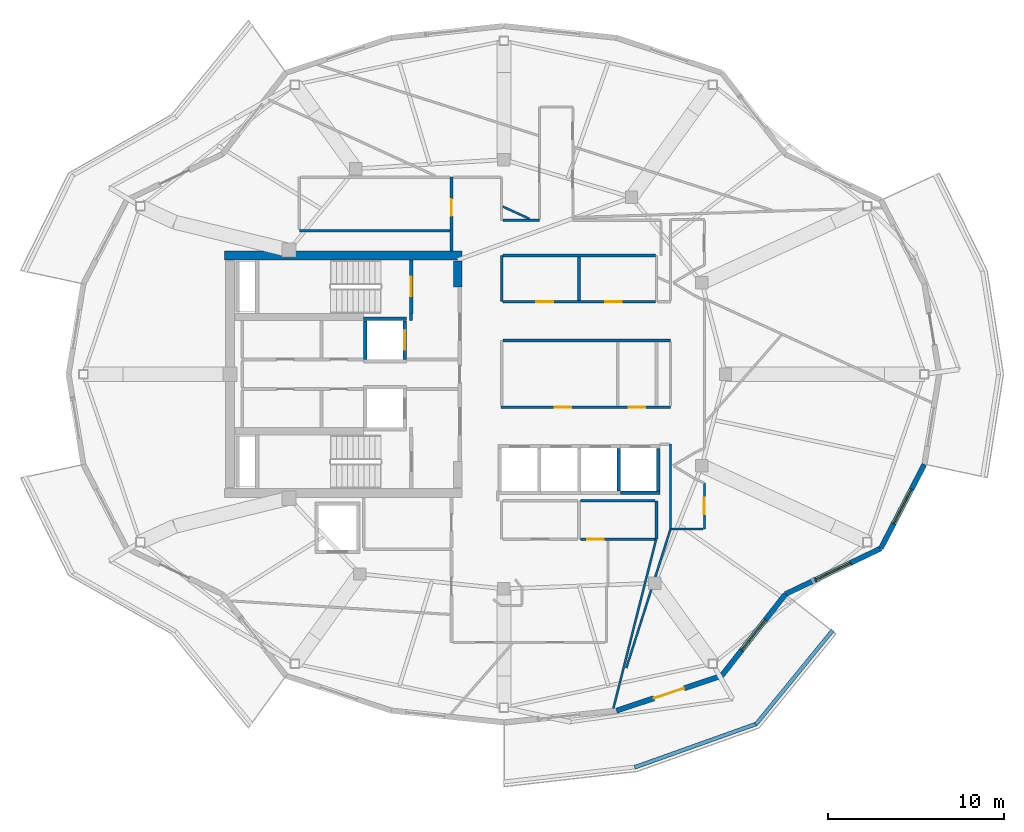
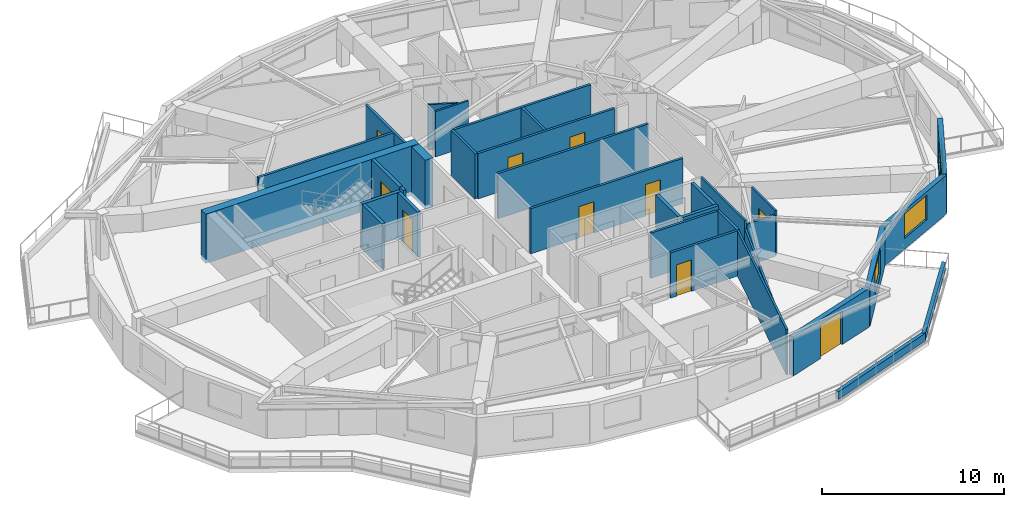
# One storey, part 5 of 11: 34 walls, 10 doors, 3 windows, 13 openings.
"""IFC4 building model written with IfcOpenShell, lengths in metres."""

from ifc_helpers import new_model, si_unit, direction, frame, frame_2d, origin, place, context, subcontext, project, spatial, rectangle, extrude, material, layer, layer_set, type_object, element, fill, save


model = new_model("IFC4")

# Units and contexts
model_context = context("Model", 3, precision=1e-05, world=origin(), true_north=direction((0.0, 1.0)))
body_context = subcontext(model_context, "Body", "Model", "MODEL_VIEW")
ifc_project = project(units=[si_unit("LENGTHUNIT", "METRE"), si_unit("AREAUNIT", "SQUARE_METRE"), si_unit("VOLUMEUNIT", "CUBIC_METRE"), si_unit("PLANEANGLEUNIT", "RADIAN"), si_unit("MASSUNIT", "GRAM", prefix="KILO")], contexts=[model_context])

# Site, building, storey
site_placement = place(None, origin())
site = spatial("IfcSite", under=ifc_project, at=site_placement, CompositionType="ELEMENT")
building_placement = place(site_placement, origin())
building = spatial("IfcBuilding", under=site, at=building_placement, Name="Kolvaren Gate Tower and Convention Centre", CompositionType="ELEMENT")
storey_placement = place(building_placement, frame((0.0, 0.0, 236.0)))
storey = spatial("IfcBuildingStorey", under=building, at=storey_placement, Name="L63", CompositionType="ELEMENT", Elevation=236.0)

# Walls
ifc_material_1 = material(Name="Autoclaved Aerated Masonry Blockwork Class 4 (4.0 MPa)", Category="masonry")
ifc_layer_1 = layer(ifc_material_1, 0.179931640625)
ifc_layer_set_1 = layer_set([ifc_layer_1], Name="Autoclaved Aerated Masonry Blockwork Class 4 (4.0 MPa)")
wall_type_1 = type_object("IfcWallType", Name="ARCH-WL-COMP-180", PredefinedType="SOLIDWALL", material=ifc_layer_set_1)
wall_1_placement = place(storey_placement, frame((24.85009765625, 30.0400390625, 0.0), z_axis=(0.0, 0.0, 1.0), x_axis=(0.0, 1.0, 0.0)))
element("IfcWall", 1, at=wall_1_placement, inside=storey, type_object=wall_type_1, Name="Interior Partition WL-L63-INT-002", PredefinedType="SOLIDWALL", context=body_context, shape_type="SweptSolid", body=[
    extrude(rectangle(XDim=0.419921875, YDim=0.179931640625, at=frame_2d((0.2099609375, 0.0))), origin(), (0.0, 0.0, 1.0), 3.030029296875),
])
ifc_material_2 = material(Name="Fire-Rated Acoustic Gypsum Stud Partition", Category="gypsum")
ifc_layer_2 = layer(ifc_material_2, 0.1201171875)
ifc_layer_set_2 = layer_set([ifc_layer_2], Name="Fire-Rated Acoustic Gypsum Stud Partition")
wall_type_2 = type_object("IfcWallType", Name="ARCH-WL-PART-120", PredefinedType="PARTITIONING", material=ifc_layer_set_2)
wall_2_placement = place(storey_placement, frame((30.06201171875, 35.75, 0.0), z_axis=(0.0, 0.0, 1.0), x_axis=(1.0, 0.0, 0.0)))
element("IfcWall", 2, at=wall_2_placement, inside=storey, type_object=wall_type_2, Name="Interior Partition WL-L63-INT-032", PredefinedType="PARTITIONING", context=body_context, shape_type="SweptSolid", body=[
    extrude(rectangle(XDim=2.087890625, YDim=0.1201171875, at=frame_2d((1.0439453125, 0.0))), origin(), (0.0, 0.0, 1.0), 3.030029296875),
])
wall_3_placement = place(storey_placement, frame((39.60009765625, 18.199951171875, 0.0), z_axis=(0.0, 0.0, 1.0), x_axis=(0.0, 1.0, 0.0)))
element("IfcWall", 3, at=wall_3_placement, inside=storey, type_object=wall_type_2, Name="Interior Partition WL-L63-INT-038", PredefinedType="PARTITIONING", context=body_context, shape_type="SweptSolid", body=[
    extrude(rectangle(XDim=4.820068359375, YDim=0.1201171875, at=frame_2d((2.41015625, 0.0))), origin(), (0.0, 0.0, 1.0), 3.030029296875),
])

# Wall, opening, door
wall_4_placement = place(storey_placement, frame((41.52001953125, 18.199951171875, 0.0), z_axis=(0.0, 0.0, 1.0), x_axis=(0.0, 1.0, 0.0)))
wall_4 = element("IfcWall", 4, at=wall_4_placement, inside=storey, type_object=wall_type_2, Name="Interior Partition WL-L63-INT-042", PredefinedType="PARTITIONING", context=body_context, shape_type="SweptSolid", body=[
    extrude(rectangle(XDim=2.60693359375, YDim=0.1201171875, at=frame_2d((1.303466796875, 0.0))), origin(), (0.0, 0.0, 1.0), 3.030029296875),
])
opening_1_placement = place(wall_4_placement, frame((0.82861328125, 0.0, 0.0)))
opening_1 = element("IfcOpeningElement", 5, at=opening_1_placement, cuts=wall_4, Name="Opening DR-01", PredefinedType="OPENING", context=body_context, shape_type="SweptSolid", body=[
    extrude(rectangle(XDim=0.949951171875, YDim=2.10009765625, at=frame_2d((0.47509765625, 1.050048828125))), frame((0.0, 0.070068359375, 0.0), z_axis=(0.0, -1.0, 0.0), x_axis=(1.0, 0.0, 0.0)), (0.0, 0.0, 1.0), 0.14013671875),
])
ifc_material_3 = material(Name="Painted Architectural Steelwork ASTM A500 Grade C 345 MPa", Category="steel")
door_type_1 = type_object("IfcDoorType", Name="ARCH-DR-RISER-950", OperationType="SINGLE_SWING_RIGHT", PredefinedType="DOOR", material=ifc_material_3)
door_1_placement = place(opening_1_placement, origin())
door_1 = element("IfcDoor", 6, at=door_1_placement, inside=storey, type_object=door_type_1, Name="Resident Private Study and Home Office Door", OperationType="SINGLE_SWING_LEFT", OverallHeight=2.10009765625, OverallWidth=0.949951171875, PredefinedType="DOOR", context=body_context, shape_type="SweptSolid", body=[
    extrude(rectangle(XDim=0.949951171875, YDim=2.10009765625, at=frame_2d((0.47509765625, 1.050048828125))), frame((0.0, 0.02490234375, 0.0), z_axis=(0.0, -1.0, 0.0), x_axis=(1.0, 0.0, 0.0)), (0.0, 0.0, 1.0), 0.050048828125),
])
fill(opening_1, door_1)

# Walls
wall_5_placement = place(storey_placement, frame((39.662109375, 18.199951171875, 0.0), z_axis=(0.0, 0.0, 1.0), x_axis=(1.0, 0.0, 0.0)))
element("IfcWall", 7, at=wall_5_placement, inside=storey, type_object=wall_type_2, Name="Interior Partition WL-L63-INT-053", PredefinedType="PARTITIONING", context=body_context, shape_type="SweptSolid", body=[
    extrude(rectangle(XDim=1.7958984375, YDim=0.1201171875, at=frame_2d((0.89794921875, 0.0))), origin(), (0.0, 0.0, 1.0), 2.77001953125),
])
wall_6_placement = place(storey_placement, frame((30.06201171875, 36.529052734375, 0.0), z_axis=(0.0, 0.0, 1.0), x_axis=(0.909595755729, -0.415494357555, 0.0)))
element("IfcWall", 8, at=wall_6_placement, inside=storey, type_object=wall_type_2, Name="Interior Partition WL-L63-INT-064", PredefinedType="PARTITIONING", context=body_context, shape_type="SweptSolid", body=[
    extrude(rectangle(XDim=1.674072265625, YDim=0.1201171875, at=frame_2d((0.8369140625, 0.0))), origin(), (0.0, 0.0, 1.0), 3.030029296875),
])
wall_7_placement = place(storey_placement, frame((36.350830078125, 8.008544921875, 0.0), z_axis=(0.0, 0.0, 1.0), x_axis=(0.245217392178, 0.969468117358, 0.0)))
element("IfcWall", 9, at=wall_7_placement, inside=storey, type_object=wall_type_2, Name="Interior Partition WL-L63-INT-070", PredefinedType="PARTITIONING", context=body_context, shape_type="SweptSolid", body=[
    extrude(rectangle(XDim=9.914306640625, YDim=0.1201171875, at=frame_2d((4.95703125, 0.0))), origin(), (0.0, 0.0, 1.0), 3.030029296875),
])
wall_8_placement = place(storey_placement, frame((37.08544921875, 10.301025390625, 0.0), z_axis=(0.0, 0.0, 1.0), x_axis=(0.30335196171, 0.95287857953, 0.0)))
element("IfcWall", 10, at=wall_8_placement, inside=storey, type_object=wall_type_2, Name="Interior Partition WL-L63-INT-071", PredefinedType="PARTITIONING", context=body_context, shape_type="SweptSolid", body=[
    extrude(rectangle(XDim=8.28955078125, YDim=0.1201171875, at=frame_2d((4.144775390625, 0.0))), origin(), (0.0, 0.0, 1.0), 2.47802734375),
])
ifc_material_4 = material(Name="Piedmont Cream Honed Limestone Cladding", Category="masonry")
ifc_layer_3 = layer(ifc_material_4, 0.219970703125)
ifc_layer_set_3 = layer_set([ifc_layer_3], Name="Piedmont Cream Honed Limestone Cladding")
wall_type_3 = type_object("IfcWallType", Name="ARCH-WL-PLANTER-220", PredefinedType="PARAPET", material=ifc_layer_set_3)
wall_9_placement = place(storey_placement, frame((37.564697265625, 4.65283203125, 0.0), z_axis=(0.0, 0.0, 1.0), x_axis=(0.941780086523, 0.336229488042, 0.0)))
element("IfcWall", 11, at=wall_9_placement, inside=storey, type_object=wall_type_3, Name="Vertical-Forest Balcony Stone Planter Kerb PK-L63-3.2", PredefinedType="PARAPET", context=body_context, shape_type="SweptSolid", body=[
    extrude(rectangle(XDim=7.3779296875, YDim=0.219970703125, at=frame_2d((3.68896484375, 0.0))), origin(), (0.0, 0.0, 1.0), 0.52001953125),
])
wall_10_placement = place(storey_placement, frame((44.4482421875, 7.087158203125, 0.0), z_axis=(0.0, 0.0, 1.0), x_axis=(0.632697312147, 0.774399193699, 0.0)))
element("IfcWall", 12, at=wall_10_placement, inside=storey, type_object=wall_type_3, Name="Vertical-Forest Balcony Stone Planter Kerb PK-L63-3.3", PredefinedType="PARAPET", context=body_context, shape_type="SweptSolid", body=[
    extrude(rectangle(XDim=6.9140625, YDim=0.219970703125, at=frame_2d((3.45703125, 0.0))), origin(), (0.0, 0.0, 1.0), 0.52001953125),
])
ifc_layer_4 = layer(ifc_material_1, 0.199951171875)
ifc_layer_set_4 = layer_set([ifc_layer_4], Name="Autoclaved Aerated Masonry Blockwork Class 4 (4.0 MPa)")
wall_type_4 = type_object("IfcWallType", Name="ARCH-WL-SHAFT-200", PredefinedType="SOLIDWALL", material=ifc_layer_set_4)
wall_11_placement = place(storey_placement, frame((22.14990234375, 30.139892578125, 0.0), z_axis=(0.0, 0.0, 1.0), x_axis=(1.0, 0.0, 0.0)))
element("IfcWall", 13, at=wall_11_placement, inside=storey, type_object=wall_type_4, Name="Elevator FF-01 L63 Fire Shaft Wall N", PredefinedType="SOLIDWALL", context=body_context, shape_type="SweptSolid", body=[
    extrude(rectangle(XDim=2.4501953125, YDim=0.199951171875, at=frame_2d((1.22509765625, 0.0))), origin(), (0.0, 0.0, 1.0), 3.030029296875),
])
wall_12_placement = place(storey_placement, frame((22.25, 27.85009765625, 0.0), z_axis=(0.0, 0.0, 1.0), x_axis=(0.0, 1.0, 0.0)))
element("IfcWall", 14, at=wall_12_placement, inside=storey, type_object=wall_type_4, Name="Elevator FF-01 L63 Fire Shaft Wall W", PredefinedType="SOLIDWALL", context=body_context, shape_type="SweptSolid", body=[
    extrude(rectangle(XDim=2.179931640625, YDim=0.199951171875, at=frame_2d((1.08984375, 0.0))), origin(), (0.0, 0.0, 1.0), 3.030029296875),
])

# Wall, opening, door
wall_13_placement = place(storey_placement, frame((24.5, 27.85009765625, 0.0), z_axis=(0.0, 0.0, 1.0), x_axis=(0.0, 1.0, 0.0)))
wall_13 = element("IfcWall", 15, at=wall_13_placement, inside=storey, type_object=wall_type_4, Name="Elevator FF-01 L63 Fire Shaft Wall E", PredefinedType="SOLIDWALL", context=body_context, shape_type="SweptSolid", body=[
    extrude(rectangle(XDim=2.179931640625, YDim=0.199951171875, at=frame_2d((1.08984375, 0.0))), origin(), (0.0, 0.0, 1.0), 3.030029296875),
])
opening_2_placement = place(wall_13_placement, frame((0.5400390625, 0.0, 0.0)))
opening_2 = element("IfcOpeningElement", 16, at=opening_2_placement, cuts=wall_13, Name="Opening LD", PredefinedType="OPENING", context=body_context, shape_type="SweptSolid", body=[
    extrude(rectangle(XDim=1.10009765625, YDim=2.199951171875, at=frame_2d((0.550048828125, 1.10009765625))), frame((0.0, 0.10986328125, 0.0), z_axis=(0.0, -1.0, 0.0), x_axis=(1.0, 0.0, 0.0)), (0.0, 0.0, 1.0), 0.219970703125),
])
ifc_material_5 = material(Name="Brushed Stainless Steel Grade 316L", Category="steel")
door_type_2 = type_object("IfcDoorType", Name="ARCH-DR-LIFT-1100", OperationType="SLIDING_TO_LEFT", PredefinedType="DOOR", material=ifc_material_5)
door_2_placement = place(opening_2_placement, origin())
door_2 = element("IfcDoor", 17, at=door_2_placement, inside=storey, type_object=door_type_2, Name="Elevator FF-01 L63 Sliding Landing Door", OperationType="SLIDING_TO_LEFT", OverallHeight=2.199951171875, OverallWidth=1.10009765625, PredefinedType="DOOR", context=body_context, shape_type="SweptSolid", body=[
    extrude(rectangle(XDim=1.10009765625, YDim=2.199951171875, at=frame_2d((0.550048828125, 1.10009765625))), frame((0.0, 0.02490234375, 0.0), z_axis=(0.0, -1.0, 0.0), x_axis=(1.0, 0.0, 0.0)), (0.0, 0.0, 1.0), 0.050048828125),
])
fill(opening_2, door_2)

# Walls
wall_14_placement = place(storey_placement, frame((36.64990234375, 20.360107421875, 0.0), z_axis=(0.0, 0.0, 1.0), x_axis=(0.0, 1.0, 0.0)))
element("IfcWall", 18, at=wall_14_placement, inside=storey, type_object=wall_type_4, Name="Elevator PL-11 L63 Fire Shaft Wall E", PredefinedType="SOLIDWALL", context=body_context, shape_type="SweptSolid", body=[
    extrude(rectangle(XDim=2.429931640625, YDim=0.199951171875, at=frame_2d((1.21484375, 0.0))), origin(), (0.0, 0.0, 1.0), 3.030029296875),
])
wall_15_placement = place(storey_placement, frame((36.75, 20.25, 0.0), z_axis=(0.0, 0.0, 1.0), x_axis=(1.0, 0.0, 0.0)))
element("IfcWall", 19, at=wall_15_placement, inside=storey, type_object=wall_type_4, Name="Elevator PL-12 L63 Fire Shaft Wall S", PredefinedType="SOLIDWALL", context=body_context, shape_type="SweptSolid", body=[
    extrude(rectangle(XDim=2.25, YDim=0.199951171875, at=frame_2d((1.125, 0.0))), origin(), (0.0, 0.0, 1.0), 3.030029296875),
])
wall_16_placement = place(storey_placement, frame((38.89990234375, 20.360107421875, 0.0), z_axis=(0.0, 0.0, 1.0), x_axis=(0.0, 1.0, 0.0)))
element("IfcWall", 20, at=wall_16_placement, inside=storey, type_object=wall_type_4, Name="Elevator PL-12 L63 Fire Shaft Wall E", PredefinedType="SOLIDWALL", context=body_context, shape_type="SweptSolid", body=[
    extrude(rectangle(XDim=2.429931640625, YDim=0.199951171875, at=frame_2d((1.21484375, 0.0))), origin(), (0.0, 0.0, 1.0), 3.030029296875),
])

# Wall, opening, door
ifc_layer_5 = layer(ifc_material_4, 0.300048828125)
ifc_layer_set_5 = layer_set([ifc_layer_5], Name="Piedmont Cream Honed Limestone Cladding")
wall_type_5 = type_object("IfcWallType", Name="ARCH-WL-STONE-300", PredefinedType="SOLIDWALL", material=ifc_layer_set_5)
wall_17_placement = place(storey_placement, frame((36.53076171875, 7.874755859375, 0.0), z_axis=(0.0, 0.0, 1.0), x_axis=(0.949240877604, 0.314550085495, 0.0)))
wall_17 = element("IfcWall", 21, at=wall_17_placement, inside=storey, type_object=wall_type_5, Name="Tower L63 Honed Stone Spandrel Wall EW-19", PredefinedType="SOLIDWALL", context=body_context, shape_type="SweptSolid", body=[
    extrude(rectangle(XDim=6.288330078125, YDim=0.300048828125, at=frame_2d((3.14404296875, 0.0))), origin(), (0.0, 0.0, 1.0), 2.60498046875),
])
opening_3_placement = place(wall_17_placement, frame((2.243896484375, 0.0, 0.0)))
opening_3 = element("IfcOpeningElement", 22, at=opening_3_placement, cuts=wall_17, Name="Opening DB-01", PredefinedType="OPENING", context=body_context, shape_type="SweptSolid", body=[
    extrude(rectangle(XDim=1.800048828125, YDim=2.25, at=frame_2d((0.89990234375, 1.125))), frame((0.0, 0.159912109375, 0.0), z_axis=(0.0, -1.0, 0.0), x_axis=(1.0, 0.0, 0.0)), (0.0, 0.0, 1.0), 0.320068359375),
])
ifc_material_6 = material(Name="Anodized Architectural Aluminium Alloy 6063-T6", Category="aluminium")
door_type_3 = type_object("IfcDoorType", Name="ARCH-DR-BALC-1800", OperationType="SLIDING_TO_LEFT", PredefinedType="DOOR", material=ifc_material_6)
door_3_placement = place(opening_3_placement, frame((1.800048828125, 0.0, 0.0), z_axis=(0.0, 0.0, 1.0), x_axis=(-1.0, 0.0, 0.0)))
door_3 = element("IfcDoor", 23, at=door_3_placement, inside=storey, type_object=door_type_3, Name="Planted Sky Terrace Access Door DB-L63-19", OperationType="SLIDING_TO_LEFT", OverallHeight=2.25, OverallWidth=1.800048828125, PredefinedType="DOOR", context=body_context, shape_type="SweptSolid", body=[
    extrude(rectangle(XDim=1.800048828125, YDim=2.25, at=frame_2d((0.89990234375, 1.125))), frame((0.0, 0.02490234375, 0.0), z_axis=(0.0, -1.0, 0.0), x_axis=(1.0, 0.0, 0.0)), (0.0, 0.0, 1.0), 0.050048828125),
])
fill(opening_3, door_3)

# Wall, opening, window
wall_18_placement = place(storey_placement, frame((42.5, 9.852783203125, 0.0), z_axis=(0.0, 0.0, 1.0), x_axis=(0.616450126935, 0.787393955401, 0.0)))
wall_18 = element("IfcWall", 24, at=wall_18_placement, inside=storey, type_object=wall_type_5, Name="Tower L63 Honed Stone Spandrel Wall EW-20", PredefinedType="SOLIDWALL", context=body_context, shape_type="SweptSolid", body=[
    extrude(rectangle(XDim=5.892822265625, YDim=0.300048828125, at=frame_2d((2.9462890625, 0.0))), origin(), (0.0, 0.0, 1.0), 2.60498046875),
])
opening_4_placement = place(wall_18_placement, frame((1.845947265625, 0.0, 0.719970703125)))
opening_4 = element("IfcOpeningElement", 25, at=opening_4_placement, cuts=wall_18, Name="Opening W-03", PredefinedType="OPENING", context=body_context, shape_type="SweptSolid", body=[
    extrude(rectangle(XDim=2.199951171875, YDim=1.64990234375, at=frame_2d((1.10009765625, 0.824951171875))), frame((0.0, 0.159912109375, 0.0), z_axis=(0.0, -1.0, 0.0), x_axis=(1.0, 0.0, 0.0)), (0.0, 0.0, 1.0), 0.320068359375),
])
ifc_material_7 = material(Name="Low-E Triple Insulated Glazing Unit 44 mm", Category="glass")
window_type = type_object("IfcWindowType", Name="ARCH-WN-RES-2200", PartitioningType="SINGLE_PANEL", PredefinedType="WINDOW", material=ifc_material_7)
window_1_placement = place(opening_4_placement, origin())
window_1 = element("IfcWindow", 26, at=window_1_placement, inside=storey, type_object=window_type, Name="Tower L63 Punched Stone Facade Window W-20", OverallHeight=1.64990234375, OverallWidth=2.199951171875, PartitioningType="SINGLE_PANEL", PredefinedType="WINDOW", context=body_context, shape_type="SweptSolid", body=[
    extrude(rectangle(XDim=2.199951171875, YDim=1.64990234375, at=frame_2d((1.10009765625, 0.824951171875))), frame((0.0, 0.030029296875, 0.0), z_axis=(0.0, -1.0, 0.0), x_axis=(1.0, 0.0, 0.0)), (0.0, 0.0, 1.0), 0.06005859375),
])
fill(opening_4, window_1)

wall_19_placement = place(storey_placement, frame((46.132568359375, 14.49267578125, 0.0), z_axis=(0.0, 0.0, 1.0), x_axis=(0.901348331142, 0.433094892545, 0.0)))
wall_19 = element("IfcWall", 27, at=wall_19_placement, inside=storey, type_object=wall_type_5, Name="Tower L63 Honed Stone Spandrel Wall EW-21", PredefinedType="SOLIDWALL", context=body_context, shape_type="SweptSolid", body=[
    extrude(rectangle(XDim=6.0205078125, YDim=0.300048828125, at=frame_2d((3.01025390625, 0.0))), origin(), (0.0, 0.0, 1.0), 2.60498046875),
])
opening_5_placement = place(wall_19_placement, frame((1.909912109375, 0.0, 0.719970703125)))
opening_5 = element("IfcOpeningElement", 28, at=opening_5_placement, cuts=wall_19, Name="Opening W-03", PredefinedType="OPENING", context=body_context, shape_type="SweptSolid", body=[
    extrude(rectangle(XDim=2.199951171875, YDim=1.64990234375, at=frame_2d((1.10009765625, 0.824951171875))), frame((0.0, 0.159912109375, 0.0), z_axis=(0.0, -1.0, 0.0), x_axis=(1.0, 0.0, 0.0)), (0.0, 0.0, 1.0), 0.320068359375),
])
window_2_placement = place(opening_5_placement, origin())
window_2 = element("IfcWindow", 29, at=window_2_placement, inside=storey, type_object=window_type, Name="Tower L63 Punched Stone Facade Window W-21", OverallHeight=1.64990234375, OverallWidth=2.199951171875, PartitioningType="SINGLE_PANEL", PredefinedType="WINDOW", context=body_context, shape_type="SweptSolid", body=[
    extrude(rectangle(XDim=2.199951171875, YDim=1.64990234375, at=frame_2d((1.10009765625, 0.824951171875))), frame((0.0, 0.030029296875, 0.0), z_axis=(0.0, -1.0, 0.0), x_axis=(1.0, 0.0, 0.0)), (0.0, 0.0, 1.0), 0.06005859375),
])
fill(opening_5, window_2)

wall_20_placement = place(storey_placement, frame((51.55908203125, 17.10009765625, 0.0), z_axis=(0.0, 0.0, 1.0), x_axis=(0.459808219482, 0.888018243786, 0.0)))
wall_20 = element("IfcWall", 30, at=wall_20_placement, inside=storey, type_object=wall_type_5, Name="Tower L63 Honed Stone Spandrel Wall EW-22", PredefinedType="SOLIDWALL", context=body_context, shape_type="SweptSolid", body=[
    extrude(rectangle(XDim=5.377685546875, YDim=0.300048828125, at=frame_2d((2.68896484375, 0.0))), origin(), (0.0, 0.0, 1.0), 2.60498046875),
])
opening_6_placement = place(wall_20_placement, frame((1.589111328125, 0.0, 0.719970703125)))
opening_6 = element("IfcOpeningElement", 31, at=opening_6_placement, cuts=wall_20, Name="Opening W-03", PredefinedType="OPENING", context=body_context, shape_type="SweptSolid", body=[
    extrude(rectangle(XDim=2.199951171875, YDim=1.64990234375, at=frame_2d((1.10009765625, 0.824951171875))), frame((0.0, 0.159912109375, 0.0), z_axis=(0.0, -1.0, 0.0), x_axis=(1.0, 0.0, 0.0)), (0.0, 0.0, 1.0), 0.320068359375),
])
window_3_placement = place(opening_6_placement, origin())
window_3 = element("IfcWindow", 32, at=window_3_placement, inside=storey, type_object=window_type, Name="Tower L63 Punched Stone Facade Window W-22", OverallHeight=1.64990234375, OverallWidth=2.199951171875, PartitioningType="SINGLE_PANEL", PredefinedType="WINDOW", context=body_context, shape_type="SweptSolid", body=[
    extrude(rectangle(XDim=2.199951171875, YDim=1.64990234375, at=frame_2d((1.10009765625, 0.824951171875))), frame((0.0, 0.030029296875, 0.0), z_axis=(0.0, -1.0, 0.0), x_axis=(1.0, 0.0, 0.0)), (0.0, 0.0, 1.0), 0.06005859375),
])
fill(opening_6, window_3)

# Wall, opening, door
ifc_material_8 = material(Name="Moisture-Resistant Cement-Board Acoustic Partition", Category="gypsum")
ifc_layer_6 = layer(ifc_material_8, 0.14990234375)
ifc_layer_set_6 = layer_set([ifc_layer_6], Name="Moisture-Resistant Cement-Board Acoustic Partition")
wall_type_6 = type_object("IfcWallType", Name="ARCH-WL-WET-150", PredefinedType="PARTITIONING", material=ifc_layer_set_6)
wall_21_placement = place(storey_placement, frame((27.14990234375, 34.001953125, 0.0), z_axis=(0.0, 0.0, 1.0), x_axis=(0.0, 1.0, 0.0)))
wall_21 = element("IfcWall", 33, at=wall_21_placement, inside=storey, type_object=wall_type_6, Name="Interior Partition WL-L63-INT-012", PredefinedType="PARTITIONING", context=body_context, shape_type="SweptSolid", body=[
    extrude(rectangle(XDim=4.197998046875, YDim=0.14990234375, at=frame_2d((2.09912109375, 0.0))), origin(), (0.0, 0.0, 1.0), 3.030029296875),
])
opening_7_placement = place(wall_21_placement, frame((1.998046875, 0.0, 0.0)))
opening_7 = element("IfcOpeningElement", 34, at=opening_7_placement, cuts=wall_21, Name="Opening DR-01", PredefinedType="OPENING", context=body_context, shape_type="SweptSolid", body=[
    extrude(rectangle(XDim=0.949951171875, YDim=2.10009765625, at=frame_2d((0.47509765625, 1.050048828125))), frame((0.0, 0.0849609375, 0.0), z_axis=(0.0, -1.0, 0.0), x_axis=(1.0, 0.0, 0.0)), (0.0, 0.0, 1.0), 0.169921875),
])
door_4_placement = place(opening_7_placement, origin())
door_4 = element("IfcDoor", 35, at=door_4_placement, inside=storey, type_object=door_type_1, Name="Reclaimed North Resident Store Door", OperationType="SINGLE_SWING_LEFT", OverallHeight=2.10009765625, OverallWidth=0.949951171875, PredefinedType="DOOR", context=body_context, shape_type="SweptSolid", body=[
    extrude(rectangle(XDim=0.949951171875, YDim=2.10009765625, at=frame_2d((0.47509765625, 1.050048828125))), frame((0.0, 0.02490234375, 0.0), z_axis=(0.0, -1.0, 0.0), x_axis=(1.0, 0.0, 0.0)), (0.0, 0.0, 1.0), 0.050048828125),
])
fill(opening_7, door_4)

# Wall, openings, doors
wall_22_placement = place(storey_placement, frame((29.9599609375, 25.1201171875, 0.0), z_axis=(0.0, 0.0, 1.0), x_axis=(1.0, 0.0, 0.0)))
wall_22 = element("IfcWall", 36, at=wall_22_placement, inside=storey, type_object=wall_type_6, Name="Interior Partition WL-L63-INT-013", PredefinedType="PARTITIONING", context=body_context, shape_type="SweptSolid", body=[
    extrude(rectangle(XDim=9.64013671875, YDim=0.14990234375, at=frame_2d((4.820068359375, 0.0))), origin(), (0.0, 0.0, 1.0), 3.030029296875),
])
opening_8_placement = place(wall_22_placement, frame((3.050048828125, 0.0, 0.0)))
opening_8 = element("IfcOpeningElement", 37, at=opening_8_placement, cuts=wall_22, Name="Opening DR-01", PredefinedType="OPENING", context=body_context, shape_type="SweptSolid", body=[
    extrude(rectangle(XDim=0.949951171875, YDim=2.10009765625, at=frame_2d((0.47509765625, 1.050048828125))), frame((0.0, 0.0849609375, 0.0), z_axis=(0.0, -1.0, 0.0), x_axis=(1.0, 0.0, 0.0)), (0.0, 0.0, 1.0), 0.169921875),
])
opening_9_placement = place(wall_22_placement, frame((7.264892578125, 0.0, 0.0)))
opening_9 = element("IfcOpeningElement", 38, at=opening_9_placement, cuts=wall_22, Name="Opening DR-01", PredefinedType="OPENING", context=body_context, shape_type="SweptSolid", body=[
    extrude(rectangle(XDim=0.949951171875, YDim=2.10009765625, at=frame_2d((0.47509765625, 1.050048828125))), frame((0.0, 0.0849609375, 0.0), z_axis=(0.0, -1.0, 0.0), x_axis=(1.0, 0.0, 0.0)), (0.0, 0.0, 1.0), 0.169921875),
])
door_5_placement = place(opening_8_placement, origin())
door_5 = element("IfcDoor", 39, at=door_5_placement, inside=storey, type_object=door_type_1, Name="Accessible Universal Washroom Door", OperationType="SINGLE_SWING_LEFT", OverallHeight=2.10009765625, OverallWidth=0.949951171875, PredefinedType="DOOR", context=body_context, shape_type="SweptSolid", body=[
    extrude(rectangle(XDim=0.949951171875, YDim=2.10009765625, at=frame_2d((0.47509765625, 1.050048828125))), frame((0.0, 0.02490234375, 0.0), z_axis=(0.0, -1.0, 0.0), x_axis=(1.0, 0.0, 0.0)), (0.0, 0.0, 1.0), 0.050048828125),
])
fill(opening_8, door_5)
door_6_placement = place(opening_9_placement, origin())
door_6 = element("IfcDoor", 40, at=door_6_placement, inside=storey, type_object=door_type_1, Name="Floor Janitor and Supply Store Door", OperationType="SINGLE_SWING_RIGHT", OverallHeight=2.10009765625, OverallWidth=0.949951171875, PredefinedType="DOOR", context=body_context, shape_type="SweptSolid", body=[
    extrude(rectangle(XDim=0.949951171875, YDim=2.10009765625, at=frame_2d((0.47509765625, 1.050048828125))), frame((0.0, 0.02490234375, 0.0), z_axis=(0.0, -1.0, 0.0), x_axis=(1.0, 0.0, 0.0)), (0.0, 0.0, 1.0), 0.050048828125),
])
fill(opening_9, door_6)

# Walls
wall_23_placement = place(storey_placement, frame((30.0, 31.1201171875, 0.0), z_axis=(0.0, 0.0, 1.0), x_axis=(0.0, 1.0, 0.0)))
element("IfcWall", 41, at=wall_23_placement, inside=storey, type_object=wall_type_6, Name="Interior Partition WL-L63-INT-016", PredefinedType="PARTITIONING", context=body_context, shape_type="SweptSolid", body=[
    extrude(rectangle(XDim=2.6298828125, YDim=0.14990234375, at=frame_2d((1.31494140625, 0.0))), origin(), (0.0, 0.0, 1.0), 3.030029296875),
])
wall_24_placement = place(storey_placement, frame((30.076904296875, 28.919921875, 0.0), z_axis=(0.0, 0.0, 1.0), x_axis=(1.0, 0.0, 0.0)))
element("IfcWall", 42, at=wall_24_placement, inside=storey, type_object=wall_type_6, Name="Interior Partition WL-L63-INT-018", PredefinedType="PARTITIONING", context=body_context, shape_type="SweptSolid", body=[
    extrude(rectangle(XDim=9.523193359375, YDim=0.14990234375, at=frame_2d((4.76171875, 0.0))), origin(), (0.0, 0.0, 1.0), 3.030029296875),
])
wall_25_placement = place(storey_placement, frame((38.800048828125, 17.6201171875, 0.0), z_axis=(0.0, 0.0, 1.0), x_axis=(0.0, 1.0, 0.0)))
element("IfcWall", 43, at=wall_25_placement, inside=storey, type_object=wall_type_6, Name="Interior Partition WL-L63-INT-020", PredefinedType="PARTITIONING", context=body_context, shape_type="SweptSolid", body=[
    extrude(rectangle(XDim=2.179931640625, YDim=0.14990234375, at=frame_2d((1.08984375, 0.0))), origin(), (0.0, 0.0, 1.0), 3.030029296875),
])

# Wall, openings, doors
wall_26_placement = place(storey_placement, frame((30.076904296875, 31.1201171875, 0.0), z_axis=(0.0, 0.0, 1.0), x_axis=(1.0, 0.0, 0.0)))
wall_26 = element("IfcWall", 44, at=wall_26_placement, inside=storey, type_object=wall_type_6, Name="Interior Partition WL-L63-INT-023", PredefinedType="PARTITIONING", context=body_context, shape_type="SweptSolid", body=[
    extrude(rectangle(XDim=8.6611328125, YDim=0.14990234375, at=frame_2d((4.33056640625, 0.0))), origin(), (0.0, 0.0, 1.0), 3.030029296875),
])
opening_10_placement = place(wall_26_placement, frame((1.8916015625, 0.0, 0.0)))
opening_10 = element("IfcOpeningElement", 45, at=opening_10_placement, cuts=wall_26, Name="Opening DR-01", PredefinedType="OPENING", context=body_context, shape_type="SweptSolid", body=[
    extrude(rectangle(XDim=0.949951171875, YDim=2.10009765625, at=frame_2d((0.47509765625, 1.050048828125))), frame((0.0, 0.0849609375, 0.0), z_axis=(0.0, -1.0, 0.0), x_axis=(1.0, 0.0, 0.0)), (0.0, 0.0, 1.0), 0.169921875),
])
opening_11_placement = place(wall_26_placement, frame((5.81201171875, 0.0, 0.0)))
opening_11 = element("IfcOpeningElement", 46, at=opening_11_placement, cuts=wall_26, Name="Opening DR-01", PredefinedType="OPENING", context=body_context, shape_type="SweptSolid", body=[
    extrude(rectangle(XDim=0.949951171875, YDim=2.10009765625, at=frame_2d((0.47509765625, 1.050048828125))), frame((0.0, 0.0849609375, 0.0), z_axis=(0.0, -1.0, 0.0), x_axis=(1.0, 0.0, 0.0)), (0.0, 0.0, 1.0), 0.169921875),
])
door_7_placement = place(opening_10_placement, origin())
door_7 = element("IfcDoor", 47, at=door_7_placement, inside=storey, type_object=door_type_1, Name="Valet and Linen Store Door", OperationType="SINGLE_SWING_LEFT", OverallHeight=2.10009765625, OverallWidth=0.949951171875, PredefinedType="DOOR", context=body_context, shape_type="SweptSolid", body=[
    extrude(rectangle(XDim=0.949951171875, YDim=2.10009765625, at=frame_2d((0.47509765625, 1.050048828125))), frame((0.0, 0.02490234375, 0.0), z_axis=(0.0, -1.0, 0.0), x_axis=(1.0, 0.0, 0.0)), (0.0, 0.0, 1.0), 0.050048828125),
])
fill(opening_10, door_7)
door_8_placement = place(opening_11_placement, origin())
door_8 = element("IfcDoor", 48, at=door_8_placement, inside=storey, type_object=door_type_1, Name="Ice and Beverage Pantry Door", OperationType="SINGLE_SWING_RIGHT", OverallHeight=2.10009765625, OverallWidth=0.949951171875, PredefinedType="DOOR", context=body_context, shape_type="SweptSolid", body=[
    extrude(rectangle(XDim=0.949951171875, YDim=2.10009765625, at=frame_2d((0.47509765625, 1.050048828125))), frame((0.0, 0.02490234375, 0.0), z_axis=(0.0, -1.0, 0.0), x_axis=(1.0, 0.0, 0.0)), (0.0, 0.0, 1.0), 0.050048828125),
])
fill(opening_11, door_8)

# Walls
wall_27_placement = place(storey_placement, frame((30.076904296875, 33.75, 0.0), z_axis=(0.0, 0.0, 1.0), x_axis=(1.0, 0.0, 0.0)))
element("IfcWall", 49, at=wall_27_placement, inside=storey, type_object=wall_type_6, Name="Interior Partition WL-L63-INT-024", PredefinedType="PARTITIONING", context=body_context, shape_type="SweptSolid", body=[
    extrude(rectangle(XDim=8.6611328125, YDim=0.14990234375, at=frame_2d((4.33056640625, 0.0))), origin(), (0.0, 0.0, 1.0), 3.030029296875),
])
wall_28_placement = place(storey_placement, frame((34.39990234375, 31.197021484375, 0.0), z_axis=(0.0, 0.0, 1.0), x_axis=(0.0, 1.0, 0.0)))
element("IfcWall", 50, at=wall_28_placement, inside=storey, type_object=wall_type_6, Name="Interior Partition WL-L63-INT-026", PredefinedType="PARTITIONING", context=body_context, shape_type="SweptSolid", body=[
    extrude(rectangle(XDim=2.47607421875, YDim=0.14990234375, at=frame_2d((1.238037109375, 0.0))), origin(), (0.0, 0.0, 1.0), 3.030029296875),
])

# Wall, opening, door
wall_29_placement = place(storey_placement, frame((34.47705078125, 17.6201171875, 0.0), z_axis=(0.0, 0.0, 1.0), x_axis=(1.0, 0.0, 0.0)))
wall_29 = element("IfcWall", 51, at=wall_29_placement, inside=storey, type_object=wall_type_6, Name="Interior Partition WL-L63-INT-027 (2)", PredefinedType="PARTITIONING", context=body_context, shape_type="SweptSolid", body=[
    extrude(rectangle(XDim=4.245849609375, YDim=0.14990234375, at=frame_2d((2.123046875, 0.0))), origin(), (0.0, 0.0, 1.0), 3.030029296875),
])
opening_12_placement = place(wall_29_placement, frame((0.37646484375, 0.0, 0.0)))
opening_12 = element("IfcOpeningElement", 52, at=opening_12_placement, cuts=wall_29, Name="Opening DR-01", PredefinedType="OPENING", context=body_context, shape_type="SweptSolid", body=[
    extrude(rectangle(XDim=0.949951171875, YDim=2.10009765625, at=frame_2d((0.47509765625, 1.050048828125))), frame((0.0, 0.0849609375, 0.0), z_axis=(0.0, -1.0, 0.0), x_axis=(1.0, 0.0, 0.0)), (0.0, 0.0, 1.0), 0.169921875),
])
door_9_placement = place(opening_12_placement, origin())
door_9 = element("IfcDoor", 53, at=door_9_placement, inside=storey, type_object=door_type_1, Name="Parcel Cold Store Door", OperationType="SINGLE_SWING_RIGHT", OverallHeight=2.10009765625, OverallWidth=0.949951171875, PredefinedType="DOOR", context=body_context, shape_type="SweptSolid", body=[
    extrude(rectangle(XDim=0.949951171875, YDim=2.10009765625, at=frame_2d((0.47509765625, 1.050048828125))), frame((0.0, 0.02490234375, 0.0), z_axis=(0.0, -1.0, 0.0), x_axis=(1.0, 0.0, 0.0)), (0.0, 0.0, 1.0), 0.050048828125),
])
fill(opening_12, door_9)

# Walls
wall_30_placement = place(storey_placement, frame((34.47705078125, 19.800048828125, 0.0), z_axis=(0.0, 0.0, 1.0), x_axis=(1.0, 0.0, 0.0)))
element("IfcWall", 54, at=wall_30_placement, inside=storey, type_object=wall_type_6, Name="Interior Partition WL-L63-INT-028 (2)", PredefinedType="PARTITIONING", context=body_context, shape_type="SweptSolid", body=[
    extrude(rectangle(XDim=4.245849609375, YDim=0.14990234375, at=frame_2d((2.123046875, 0.0))), origin(), (0.0, 0.0, 1.0), 3.030029296875),
])
wall_31_placement = place(storey_placement, frame((18.5, 35.159912109375, 0.0), z_axis=(0.0, 0.0, 1.0), x_axis=(1.0, 0.0, 0.0)))
element("IfcWall", 55, at=wall_31_placement, inside=storey, type_object=wall_type_6, Name="Interior Partition WL-L63-INT-029", PredefinedType="PARTITIONING", context=body_context, shape_type="SweptSolid", body=[
    extrude(rectangle(XDim=8.572998046875, YDim=0.14990234375, at=frame_2d((4.28662109375, 0.0))), origin(), (0.0, 0.0, 1.0), 3.030029296875),
])
ifc_material_9 = material(Name="Concrete C50/60", Category="concrete")
ifc_layer_7 = layer(ifc_material_9, 0.5)
ifc_layer_set_7 = layer_set([ifc_layer_7], Name="Concrete C50/60")
wall_type_7 = type_object("IfcWallType", Name="STR-WL-CORE-500", PredefinedType="SHEAR", material=ifc_layer_set_7)
wall_32_placement = place(storey_placement, frame((14.25, 33.75, -0.27001953125), z_axis=(0.0, 0.0, 1.0), x_axis=(1.0, 0.0, 0.0)))
element("IfcWall", 56, at=wall_32_placement, inside=storey, type_object=wall_type_7, Name="Tower L63 Offset Core Shear Wall N", PredefinedType="SHEAR", context=body_context, shape_type="SweptSolid", body=[
    extrude(rectangle(XDim=13.5, YDim=0.5, at=frame_2d((6.75, 0.0))), origin(), (0.0, 0.0, 1.0), 3.300048828125),
])
wall_33_placement = place(storey_placement, frame((27.5, 31.949951171875, -0.27001953125), z_axis=(0.0, 0.0, 1.0), x_axis=(0.0, 1.0, 0.0)))
element("IfcWall", 57, at=wall_33_placement, inside=storey, type_object=wall_type_7, Name="Tower L63 Offset Core Shear Wall EN", PredefinedType="SHEAR", context=body_context, shape_type="SweptSolid", body=[
    extrude(rectangle(XDim=1.5, YDim=0.5, at=frame_2d((0.75, 0.0))), origin(), (0.0, 0.0, 1.0), 3.300048828125),
])

# Wall, opening, door
ifc_layer_8 = layer(ifc_material_9, 0.199951171875)
ifc_layer_set_8 = layer_set([ifc_layer_8], Name="Concrete C50/60")
wall_type_8 = type_object("IfcWallType", Name="STR-WL-SHAFT-200", PredefinedType="SHEAR", material=ifc_layer_set_8)
wall_34_placement = place(storey_placement, frame((24.85009765625, 30.4599609375, -0.27001953125), z_axis=(0.0, 0.0, 1.0), x_axis=(0.0, 1.0, 0.0)))
wall_34 = element("IfcWall", 58, at=wall_34_placement, inside=storey, type_object=wall_type_8, Name="Tower North Exit Stair ST-T1 L63 Structural Shear Enclosure Wall NEAR", PredefinedType="SHEAR", context=body_context, shape_type="SweptSolid", body=[
    extrude(rectangle(XDim=3.0380859375, YDim=0.199951171875, at=frame_2d((1.51904296875, 0.0))), origin(), (0.0, 0.0, 1.0), 3.300048828125),
])
opening_13_placement = place(wall_34_placement, frame((0.968994140625, 0.0, 0.27001953125)))
opening_13 = element("IfcOpeningElement", 59, at=opening_13_placement, cuts=wall_34, Name="Opening DS-01", PredefinedType="OPENING", context=body_context, shape_type="SweptSolid", body=[
    extrude(rectangle(XDim=1.10009765625, YDim=2.14990234375, at=frame_2d((0.550048828125, 1.074951171875))), frame((0.0, 0.10986328125, 0.0), z_axis=(0.0, -1.0, 0.0), x_axis=(1.0, 0.0, 0.0)), (0.0, 0.0, 1.0), 0.219970703125),
])
door_type_4 = type_object("IfcDoorType", Name="ARCH-DR-STAIR-1100", OperationType="SINGLE_SWING_LEFT", PredefinedType="DOOR", material=ifc_material_3)
door_10_placement = place(opening_13_placement, origin())
door_10 = element("IfcDoor", 60, at=door_10_placement, inside=storey, type_object=door_type_4, Name="Tower North Exit Stair ST-T1 L63 Fire Exit Stair Door", OperationType="SINGLE_SWING_LEFT", OverallHeight=2.14990234375, OverallWidth=1.10009765625, PredefinedType="DOOR", context=body_context, shape_type="SweptSolid", body=[
    extrude(rectangle(XDim=1.10009765625, YDim=2.14990234375, at=frame_2d((0.550048828125, 1.074951171875))), frame((0.0, 0.02490234375, 0.0), z_axis=(0.0, -1.0, 0.0), x_axis=(1.0, 0.0, 0.0)), (0.0, 0.0, 1.0), 0.050048828125),
])
fill(opening_13, door_10)

save(model, "model.ifc")
